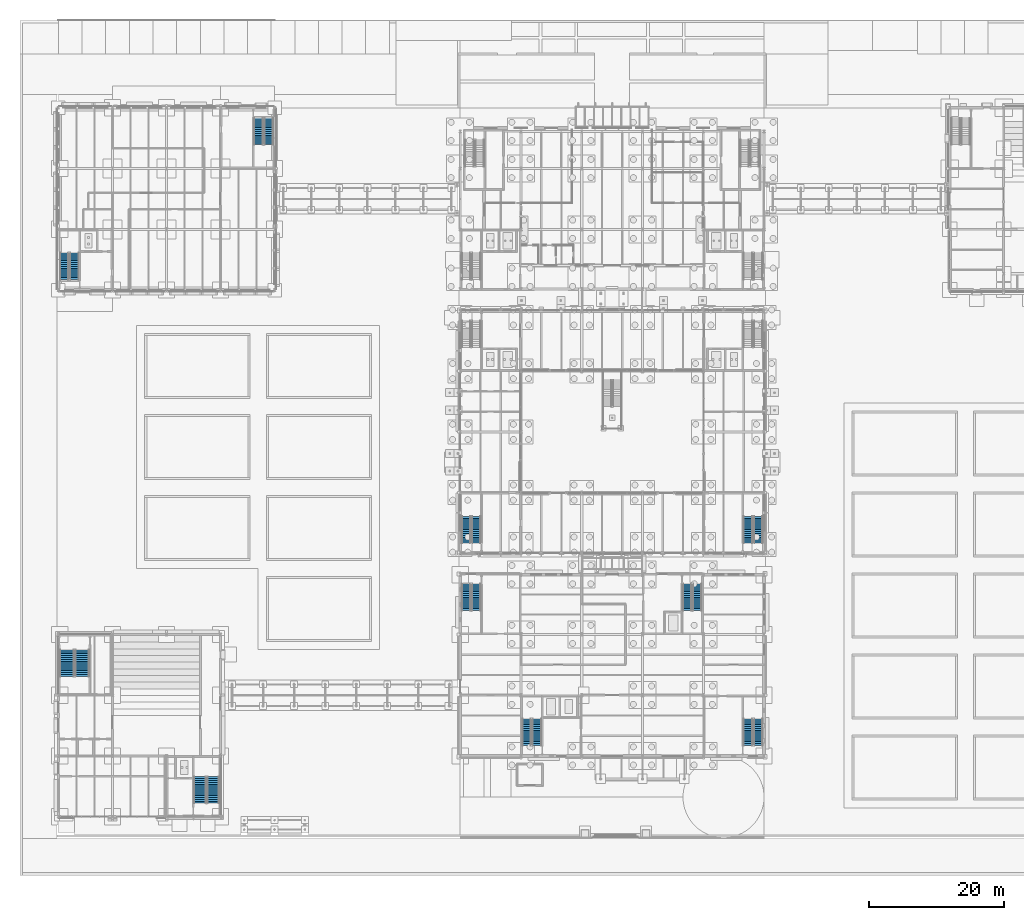
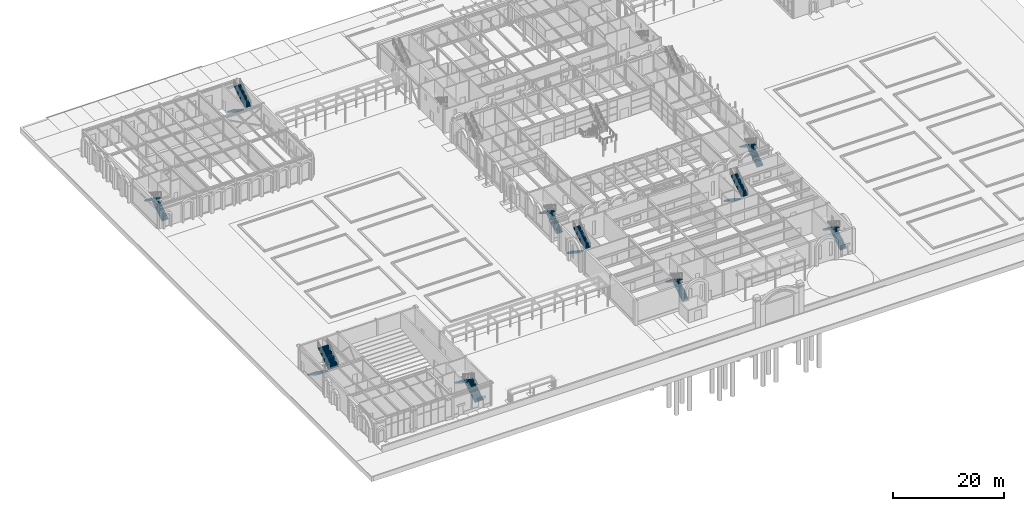
# One storey, part 85 of 126: 20 stair flights, 10 elements without a shape of their own.
"""IFC4 building model written with IfcOpenShell, lengths in metres."""

from ifc_helpers import new_model, si_unit, direction, frame, origin, place, context, subcontext, project, spatial, polyline, outline, extrude, material, type_object, element, aggregate, save


model = new_model("IFC4")

# Units and contexts
model_context = context("Model", 3, precision=1e-05, world=origin(), true_north=direction((0.0, 1.0)))
body_context = subcontext(model_context, "Body", "Model", "MODEL_VIEW")
ifc_project = project(units=[si_unit("LENGTHUNIT", "METRE"), si_unit("AREAUNIT", "SQUARE_METRE"), si_unit("VOLUMEUNIT", "CUBIC_METRE"), si_unit("PLANEANGLEUNIT", "RADIAN"), si_unit("MASSUNIT", "GRAM", prefix="KILO")], contexts=[model_context])

# Site, building, storey
site_placement = place(None, origin())
site = spatial("IfcSite", under=ifc_project, at=site_placement, CompositionType="ELEMENT")
building_placement = place(site_placement, origin())
building = spatial("IfcBuilding", under=site, at=building_placement, Name="Kallimachos Central Library", CompositionType="ELEMENT")
storey_placement = place(building_placement, origin())
storey = spatial("IfcBuildingStorey", under=building, at=storey_placement, Name="L00", CompositionType="ELEMENT", Elevation=0.0)

# Stair, stair flights
ifc_material_1 = material(Name="Concrete C30/37", Category="concrete")
stair_type_1 = type_object("IfcStairType", Name="Concrete stair 1350", PredefinedType="HALF_TURN_STAIR", material=ifc_material_1)
stair_1_placement = place(storey_placement, origin())
stair_1 = element("IfcStair", 1, at=stair_1_placement, inside=storey, type_object=stair_type_1, Name="L00 stair ST13", PredefinedType="HALF_TURN_STAIR")
ifc_material_2 = material(Name="Concrete C30/37", Category="concrete")
stair_flight_type_1 = type_object("IfcStairFlightType", Name="Concrete stair flight 1350", PredefinedType="STRAIGHT", material=ifc_material_2)
stair_flight_1_placement = place(storey_placement, frame((76.875, 19.550048828125, 0.0), z_axis=(0.0, 0.0, 1.0), x_axis=(0.0, 1.0, 0.0)))
stair_flight_1 = element("IfcStairFlight", 2, at=stair_flight_1_placement, type_object=stair_flight_type_1, Name="ST13 flight 1", NumberOfRisers=15, NumberOfTreads=14, PredefinedType="STRAIGHT", RiserHeight=0.18, TreadLength=0.28, context=body_context, shape_type="SweptSolid", body=[
    extrude(outline(polyline([(0.0, 0.0), (0.0, 0.179931640625), (0.280029296875, 0.179931640625), (0.280029296875, 0.360107421875), (0.56005859375, 0.360107421875), (0.56005859375, 0.5400390625), (0.840087890625, 0.5400390625), (0.840087890625, 0.719970703125), (1.1201171875, 0.719970703125), (1.1201171875, 0.89990234375), (1.39990234375, 0.89990234375), (1.39990234375, 1.080078125), (1.679931640625, 1.080078125), (1.679931640625, 1.260009765625), (1.9599609375, 1.260009765625), (1.9599609375, 1.43994140625), (2.239990234375, 1.43994140625), (2.239990234375, 1.6201171875), (2.52001953125, 1.6201171875), (2.52001953125, 1.800048828125), (2.800048828125, 1.800048828125), (2.800048828125, 1.97998046875), (3.080078125, 1.97998046875), (3.080078125, 2.159912109375), (3.360107421875, 2.159912109375), (3.360107421875, 2.340087890625), (3.639892578125, 2.340087890625), (3.639892578125, 2.52001953125), (3.919921875, 2.52001953125), (3.919921875, 2.699951171875), (3.919921875, 2.341796875), (0.277099609375, 0.0), (0.0, 0.0)])), frame((0.0, 0.675048828125, 0.0), z_axis=(0.0, -1.0, 0.0), x_axis=(1.0, 0.0, 0.0)), (0.0, 0.0, 1.0), 1.35009765625),
])
stair_flight_2_placement = place(storey_placement, frame((75.375, 23.469970703125, 2.699951171875), z_axis=(0.0, 0.0, 1.0), x_axis=(0.0, -1.0, 0.0)))
stair_flight_2 = element("IfcStairFlight", 3, at=stair_flight_2_placement, type_object=stair_flight_type_1, Name="ST13 flight 2", NumberOfRisers=15, NumberOfTreads=14, PredefinedType="STRAIGHT", RiserHeight=0.18, TreadLength=0.28, context=body_context, shape_type="SweptSolid", body=[
    extrude(outline(polyline([(0.0, 0.0), (0.0, 0.179931640625), (0.280029296875, 0.179931640625), (0.280029296875, 0.360107421875), (0.56005859375, 0.360107421875), (0.56005859375, 0.5400390625), (0.840087890625, 0.5400390625), (0.840087890625, 0.719970703125), (1.1201171875, 0.719970703125), (1.1201171875, 0.89990234375), (1.39990234375, 0.89990234375), (1.39990234375, 1.080078125), (1.679931640625, 1.080078125), (1.679931640625, 1.260009765625), (1.9599609375, 1.260009765625), (1.9599609375, 1.43994140625), (2.239990234375, 1.43994140625), (2.239990234375, 1.6201171875), (2.52001953125, 1.6201171875), (2.52001953125, 1.800048828125), (2.800048828125, 1.800048828125), (2.800048828125, 1.97998046875), (3.080078125, 1.97998046875), (3.080078125, 2.159912109375), (3.360107421875, 2.159912109375), (3.360107421875, 2.340087890625), (3.639892578125, 2.340087890625), (3.639892578125, 2.52001953125), (3.919921875, 2.52001953125), (3.919921875, 2.699951171875), (3.919921875, 2.341796875), (0.277099609375, 0.0), (0.0, 0.0)])), frame((0.0, 0.675048828125, 0.0), z_axis=(0.0, -1.0, 0.0), x_axis=(1.0, 0.0, 0.0)), (0.0, 0.0, 1.0), 1.35009765625),
])
aggregate(stair_1, [stair_flight_1, stair_flight_2])

stair_2_placement = place(storey_placement, origin())
stair_2 = element("IfcStair", 4, at=stair_2_placement, inside=storey, type_object=stair_type_1, Name="L00 stair ST14", PredefinedType="HALF_TURN_STAIR")
stair_flight_3_placement = place(storey_placement, frame((99.125, 43.449951171875, 0.0), z_axis=(0.0, 0.0, 1.0), x_axis=(0.0, -1.0, 0.0)))
stair_flight_3 = element("IfcStairFlight", 5, at=stair_flight_3_placement, type_object=stair_flight_type_1, Name="ST14 flight 1", NumberOfRisers=15, NumberOfTreads=14, PredefinedType="STRAIGHT", RiserHeight=0.18, TreadLength=0.28, context=body_context, shape_type="SweptSolid", body=[
    extrude(outline(polyline([(0.0, 0.0), (0.0, 0.179931640625), (0.280029296875, 0.179931640625), (0.280029296875, 0.360107421875), (0.56005859375, 0.360107421875), (0.56005859375, 0.5400390625), (0.840087890625, 0.5400390625), (0.840087890625, 0.719970703125), (1.1201171875, 0.719970703125), (1.1201171875, 0.89990234375), (1.39990234375, 0.89990234375), (1.39990234375, 1.080078125), (1.679931640625, 1.080078125), (1.679931640625, 1.260009765625), (1.9599609375, 1.260009765625), (1.9599609375, 1.43994140625), (2.239990234375, 1.43994140625), (2.239990234375, 1.6201171875), (2.52001953125, 1.6201171875), (2.52001953125, 1.800048828125), (2.800048828125, 1.800048828125), (2.800048828125, 1.97998046875), (3.080078125, 1.97998046875), (3.080078125, 2.159912109375), (3.360107421875, 2.159912109375), (3.360107421875, 2.340087890625), (3.639892578125, 2.340087890625), (3.639892578125, 2.52001953125), (3.919921875, 2.52001953125), (3.919921875, 2.699951171875), (3.919921875, 2.341796875), (0.277099609375, 0.0), (0.0, 0.0)])), frame((0.0, 0.675048828125, 0.0), z_axis=(0.0, -1.0, 0.0), x_axis=(1.0, 0.0, 0.0)), (0.0, 0.0, 1.0), 1.35009765625),
])
stair_flight_4_placement = place(storey_placement, frame((100.625, 39.530029296875, 2.699951171875), z_axis=(0.0, 0.0, 1.0), x_axis=(0.0, 1.0, 0.0)))
stair_flight_4 = element("IfcStairFlight", 6, at=stair_flight_4_placement, type_object=stair_flight_type_1, Name="ST14 flight 2", NumberOfRisers=15, NumberOfTreads=14, PredefinedType="STRAIGHT", RiserHeight=0.18, TreadLength=0.28, context=body_context, shape_type="SweptSolid", body=[
    extrude(outline(polyline([(0.0, 0.0), (0.0, 0.179931640625), (0.280029296875, 0.179931640625), (0.280029296875, 0.360107421875), (0.56005859375, 0.360107421875), (0.56005859375, 0.5400390625), (0.840087890625, 0.5400390625), (0.840087890625, 0.719970703125), (1.1201171875, 0.719970703125), (1.1201171875, 0.89990234375), (1.39990234375, 0.89990234375), (1.39990234375, 1.080078125), (1.679931640625, 1.080078125), (1.679931640625, 1.260009765625), (1.9599609375, 1.260009765625), (1.9599609375, 1.43994140625), (2.239990234375, 1.43994140625), (2.239990234375, 1.6201171875), (2.52001953125, 1.6201171875), (2.52001953125, 1.800048828125), (2.800048828125, 1.800048828125), (2.800048828125, 1.97998046875), (3.080078125, 1.97998046875), (3.080078125, 2.159912109375), (3.360107421875, 2.159912109375), (3.360107421875, 2.340087890625), (3.639892578125, 2.340087890625), (3.639892578125, 2.52001953125), (3.919921875, 2.52001953125), (3.919921875, 2.699951171875), (3.919921875, 2.341796875), (0.277099609375, 0.0), (0.0, 0.0)])), frame((0.0, 0.675048828125, 0.0), z_axis=(0.0, -1.0, 0.0), x_axis=(1.0, 0.0, 0.0)), (0.0, 0.0, 1.0), 1.35009765625),
])
aggregate(stair_2, [stair_flight_3, stair_flight_4])

stair_3_placement = place(storey_placement, origin())
stair_3 = element("IfcStair", 7, at=stair_3_placement, inside=storey, type_object=stair_type_1, Name="L00 stair ST15", PredefinedType="HALF_TURN_STAIR")
stair_flight_5_placement = place(storey_placement, frame((66.375, 43.449951171875, 0.0), z_axis=(0.0, 0.0, 1.0), x_axis=(0.0, -1.0, 0.0)))
stair_flight_5 = element("IfcStairFlight", 8, at=stair_flight_5_placement, type_object=stair_flight_type_1, Name="ST15 flight 1", NumberOfRisers=15, NumberOfTreads=14, PredefinedType="STRAIGHT", RiserHeight=0.18, TreadLength=0.28, context=body_context, shape_type="SweptSolid", body=[
    extrude(outline(polyline([(0.0, 0.0), (0.0, 0.179931640625), (0.280029296875, 0.179931640625), (0.280029296875, 0.360107421875), (0.56005859375, 0.360107421875), (0.56005859375, 0.5400390625), (0.840087890625, 0.5400390625), (0.840087890625, 0.719970703125), (1.1201171875, 0.719970703125), (1.1201171875, 0.89990234375), (1.39990234375, 0.89990234375), (1.39990234375, 1.080078125), (1.679931640625, 1.080078125), (1.679931640625, 1.260009765625), (1.9599609375, 1.260009765625), (1.9599609375, 1.43994140625), (2.239990234375, 1.43994140625), (2.239990234375, 1.6201171875), (2.52001953125, 1.6201171875), (2.52001953125, 1.800048828125), (2.800048828125, 1.800048828125), (2.800048828125, 1.97998046875), (3.080078125, 1.97998046875), (3.080078125, 2.159912109375), (3.360107421875, 2.159912109375), (3.360107421875, 2.340087890625), (3.639892578125, 2.340087890625), (3.639892578125, 2.52001953125), (3.919921875, 2.52001953125), (3.919921875, 2.699951171875), (3.919921875, 2.341796875), (0.277099609375, 0.0), (0.0, 0.0)])), frame((0.0, 0.675048828125, 0.0), z_axis=(0.0, -1.0, 0.0), x_axis=(1.0, 0.0, 0.0)), (0.0, 0.0, 1.0), 1.35009765625),
])
stair_flight_6_placement = place(storey_placement, frame((67.875, 39.530029296875, 2.699951171875), z_axis=(0.0, 0.0, 1.0), x_axis=(0.0, 1.0, 0.0)))
stair_flight_6 = element("IfcStairFlight", 9, at=stair_flight_6_placement, type_object=stair_flight_type_1, Name="ST15 flight 2", NumberOfRisers=15, NumberOfTreads=14, PredefinedType="STRAIGHT", RiserHeight=0.18, TreadLength=0.28, context=body_context, shape_type="SweptSolid", body=[
    extrude(outline(polyline([(0.0, 0.0), (0.0, 0.179931640625), (0.280029296875, 0.179931640625), (0.280029296875, 0.360107421875), (0.56005859375, 0.360107421875), (0.56005859375, 0.5400390625), (0.840087890625, 0.5400390625), (0.840087890625, 0.719970703125), (1.1201171875, 0.719970703125), (1.1201171875, 0.89990234375), (1.39990234375, 0.89990234375), (1.39990234375, 1.080078125), (1.679931640625, 1.080078125), (1.679931640625, 1.260009765625), (1.9599609375, 1.260009765625), (1.9599609375, 1.43994140625), (2.239990234375, 1.43994140625), (2.239990234375, 1.6201171875), (2.52001953125, 1.6201171875), (2.52001953125, 1.800048828125), (2.800048828125, 1.800048828125), (2.800048828125, 1.97998046875), (3.080078125, 1.97998046875), (3.080078125, 2.159912109375), (3.360107421875, 2.159912109375), (3.360107421875, 2.340087890625), (3.639892578125, 2.340087890625), (3.639892578125, 2.52001953125), (3.919921875, 2.52001953125), (3.919921875, 2.699951171875), (3.919921875, 2.341796875), (0.277099609375, 0.0), (0.0, 0.0)])), frame((0.0, 0.675048828125, 0.0), z_axis=(0.0, -1.0, 0.0), x_axis=(1.0, 0.0, 0.0)), (0.0, 0.0, 1.0), 1.35009765625),
])
aggregate(stair_3, [stair_flight_5, stair_flight_6])

stair_4_placement = place(storey_placement, origin())
stair_4 = element("IfcStair", 10, at=stair_4_placement, inside=storey, type_object=stair_type_1, Name="L00 stair ST16", PredefinedType="HALF_TURN_STAIR")
stair_flight_7_placement = place(storey_placement, frame((109.625, 19.550048828125, 0.0), z_axis=(0.0, 0.0, 1.0), x_axis=(0.0, 1.0, 0.0)))
stair_flight_7 = element("IfcStairFlight", 11, at=stair_flight_7_placement, type_object=stair_flight_type_1, Name="ST16 flight 1", NumberOfRisers=15, NumberOfTreads=14, PredefinedType="STRAIGHT", RiserHeight=0.18, TreadLength=0.28, context=body_context, shape_type="SweptSolid", body=[
    extrude(outline(polyline([(0.0, 0.0), (0.0, 0.179931640625), (0.280029296875, 0.179931640625), (0.280029296875, 0.360107421875), (0.56005859375, 0.360107421875), (0.56005859375, 0.5400390625), (0.840087890625, 0.5400390625), (0.840087890625, 0.719970703125), (1.1201171875, 0.719970703125), (1.1201171875, 0.89990234375), (1.39990234375, 0.89990234375), (1.39990234375, 1.080078125), (1.679931640625, 1.080078125), (1.679931640625, 1.260009765625), (1.9599609375, 1.260009765625), (1.9599609375, 1.43994140625), (2.239990234375, 1.43994140625), (2.239990234375, 1.6201171875), (2.52001953125, 1.6201171875), (2.52001953125, 1.800048828125), (2.800048828125, 1.800048828125), (2.800048828125, 1.97998046875), (3.080078125, 1.97998046875), (3.080078125, 2.159912109375), (3.360107421875, 2.159912109375), (3.360107421875, 2.340087890625), (3.639892578125, 2.340087890625), (3.639892578125, 2.52001953125), (3.919921875, 2.52001953125), (3.919921875, 2.699951171875), (3.919921875, 2.341796875), (0.277099609375, 0.0), (0.0, 0.0)])), frame((0.0, 0.675048828125, 0.0), z_axis=(0.0, -1.0, 0.0), x_axis=(1.0, 0.0, 0.0)), (0.0, 0.0, 1.0), 1.35009765625),
])
stair_flight_8_placement = place(storey_placement, frame((108.125, 23.469970703125, 2.699951171875), z_axis=(0.0, 0.0, 1.0), x_axis=(0.0, -1.0, 0.0)))
stair_flight_8 = element("IfcStairFlight", 12, at=stair_flight_8_placement, type_object=stair_flight_type_1, Name="ST16 flight 2", NumberOfRisers=15, NumberOfTreads=14, PredefinedType="STRAIGHT", RiserHeight=0.18, TreadLength=0.28, context=body_context, shape_type="SweptSolid", body=[
    extrude(outline(polyline([(0.0, 0.0), (0.0, 0.179931640625), (0.280029296875, 0.179931640625), (0.280029296875, 0.360107421875), (0.56005859375, 0.360107421875), (0.56005859375, 0.5400390625), (0.840087890625, 0.5400390625), (0.840087890625, 0.719970703125), (1.1201171875, 0.719970703125), (1.1201171875, 0.89990234375), (1.39990234375, 0.89990234375), (1.39990234375, 1.080078125), (1.679931640625, 1.080078125), (1.679931640625, 1.260009765625), (1.9599609375, 1.260009765625), (1.9599609375, 1.43994140625), (2.239990234375, 1.43994140625), (2.239990234375, 1.6201171875), (2.52001953125, 1.6201171875), (2.52001953125, 1.800048828125), (2.800048828125, 1.800048828125), (2.800048828125, 1.97998046875), (3.080078125, 1.97998046875), (3.080078125, 2.159912109375), (3.360107421875, 2.159912109375), (3.360107421875, 2.340087890625), (3.639892578125, 2.340087890625), (3.639892578125, 2.52001953125), (3.919921875, 2.52001953125), (3.919921875, 2.699951171875), (3.919921875, 2.341796875), (0.277099609375, 0.0), (0.0, 0.0)])), frame((0.0, 0.675048828125, 0.0), z_axis=(0.0, -1.0, 0.0), x_axis=(1.0, 0.0, 0.0)), (0.0, 0.0, 1.0), 1.35009765625),
])
aggregate(stair_4, [stair_flight_7, stair_flight_8])

ifc_material_3 = material(Name="Concrete C30/37", Category="concrete")
stair_type_2 = type_object("IfcStairType", Name="Escape stair", PredefinedType="HALF_TURN_STAIR", material=ifc_material_3)
stair_5_placement = place(storey_placement, origin())
stair_5 = element("IfcStair", 13, at=stair_5_placement, inside=storey, type_object=stair_type_2, Name="L00 stair ST11", PredefinedType="HALF_TURN_STAIR")
ifc_material_4 = material(Name="Concrete C30/37", Category="concrete")
stair_flight_type_2 = type_object("IfcStairFlightType", Name="Stair flight", PredefinedType="STRAIGHT", material=ifc_material_4)
stair_flight_9_placement = place(storey_placement, frame((67.875, 49.550048828125, 0.0), z_axis=(0.0, 0.0, 1.0), x_axis=(0.0, 1.0, 0.0)))
stair_flight_9 = element("IfcStairFlight", 14, at=stair_flight_9_placement, type_object=stair_flight_type_2, Name="ST11 flight 1", NumberOfRisers=15, NumberOfTreads=14, PredefinedType="STRAIGHT", RiserHeight=0.18, TreadLength=0.28, context=body_context, shape_type="SweptSolid", body=[
    extrude(outline(polyline([(0.0, 0.0), (0.0, 0.179931640625), (0.280029296875, 0.179931640625), (0.280029296875, 0.360107421875), (0.56005859375, 0.360107421875), (0.56005859375, 0.5400390625), (0.840087890625, 0.5400390625), (0.840087890625, 0.719970703125), (1.1201171875, 0.719970703125), (1.1201171875, 0.89990234375), (1.39990234375, 0.89990234375), (1.39990234375, 1.080078125), (1.679931640625, 1.080078125), (1.679931640625, 1.260009765625), (1.9599609375, 1.260009765625), (1.9599609375, 1.43994140625), (2.239990234375, 1.43994140625), (2.239990234375, 1.6201171875), (2.52001953125, 1.6201171875), (2.52001953125, 1.800048828125), (2.800048828125, 1.800048828125), (2.800048828125, 1.97998046875), (3.080078125, 1.97998046875), (3.080078125, 2.159912109375), (3.360107421875, 2.159912109375), (3.360107421875, 2.340087890625), (3.639892578125, 2.340087890625), (3.639892578125, 2.52001953125), (3.919921875, 2.52001953125), (3.919921875, 2.699951171875), (3.919921875, 2.341796875), (0.277099609375, 0.0), (0.0, 0.0)])), frame((0.0, 0.675048828125, 0.0), z_axis=(0.0, -1.0, 0.0), x_axis=(1.0, 0.0, 0.0)), (0.0, 0.0, 1.0), 1.35009765625),
])
stair_flight_10_placement = place(storey_placement, frame((66.375, 53.469970703125, 2.699951171875), z_axis=(0.0, 0.0, 1.0), x_axis=(0.0, -1.0, 0.0)))
stair_flight_10 = element("IfcStairFlight", 15, at=stair_flight_10_placement, type_object=stair_flight_type_2, Name="ST11 flight 2", NumberOfRisers=15, NumberOfTreads=14, PredefinedType="STRAIGHT", RiserHeight=0.18, TreadLength=0.28, context=body_context, shape_type="SweptSolid", body=[
    extrude(outline(polyline([(0.0, 0.0), (0.0, 0.179931640625), (0.280029296875, 0.179931640625), (0.280029296875, 0.360107421875), (0.56005859375, 0.360107421875), (0.56005859375, 0.5400390625), (0.840087890625, 0.5400390625), (0.840087890625, 0.719970703125), (1.1201171875, 0.719970703125), (1.1201171875, 0.89990234375), (1.39990234375, 0.89990234375), (1.39990234375, 1.080078125), (1.679931640625, 1.080078125), (1.679931640625, 1.260009765625), (1.9599609375, 1.260009765625), (1.9599609375, 1.43994140625), (2.239990234375, 1.43994140625), (2.239990234375, 1.6201171875), (2.52001953125, 1.6201171875), (2.52001953125, 1.800048828125), (2.800048828125, 1.800048828125), (2.800048828125, 1.97998046875), (3.080078125, 1.97998046875), (3.080078125, 2.159912109375), (3.360107421875, 2.159912109375), (3.360107421875, 2.340087890625), (3.639892578125, 2.340087890625), (3.639892578125, 2.52001953125), (3.919921875, 2.52001953125), (3.919921875, 2.699951171875), (3.919921875, 2.341796875), (0.277099609375, 0.0), (0.0, 0.0)])), frame((0.0, 0.675048828125, 0.0), z_axis=(0.0, -1.0, 0.0), x_axis=(1.0, 0.0, 0.0)), (0.0, 0.0, 1.0), 1.35009765625),
])
aggregate(stair_5, [stair_flight_9, stair_flight_10])

stair_6_placement = place(storey_placement, origin())
stair_6 = element("IfcStair", 16, at=stair_6_placement, inside=storey, type_object=stair_type_2, Name="L00 stair ST12", PredefinedType="HALF_TURN_STAIR")
stair_flight_11_placement = place(storey_placement, frame((109.625, 49.550048828125, 0.0), z_axis=(0.0, 0.0, 1.0), x_axis=(0.0, 1.0, 0.0)))
stair_flight_11 = element("IfcStairFlight", 17, at=stair_flight_11_placement, type_object=stair_flight_type_2, Name="ST12 flight 1", NumberOfRisers=15, NumberOfTreads=14, PredefinedType="STRAIGHT", RiserHeight=0.18, TreadLength=0.28, context=body_context, shape_type="SweptSolid", body=[
    extrude(outline(polyline([(0.0, 0.0), (0.0, 0.179931640625), (0.280029296875, 0.179931640625), (0.280029296875, 0.360107421875), (0.56005859375, 0.360107421875), (0.56005859375, 0.5400390625), (0.840087890625, 0.5400390625), (0.840087890625, 0.719970703125), (1.1201171875, 0.719970703125), (1.1201171875, 0.89990234375), (1.39990234375, 0.89990234375), (1.39990234375, 1.080078125), (1.679931640625, 1.080078125), (1.679931640625, 1.260009765625), (1.9599609375, 1.260009765625), (1.9599609375, 1.43994140625), (2.239990234375, 1.43994140625), (2.239990234375, 1.6201171875), (2.52001953125, 1.6201171875), (2.52001953125, 1.800048828125), (2.800048828125, 1.800048828125), (2.800048828125, 1.97998046875), (3.080078125, 1.97998046875), (3.080078125, 2.159912109375), (3.360107421875, 2.159912109375), (3.360107421875, 2.340087890625), (3.639892578125, 2.340087890625), (3.639892578125, 2.52001953125), (3.919921875, 2.52001953125), (3.919921875, 2.699951171875), (3.919921875, 2.341796875), (0.277099609375, 0.0), (0.0, 0.0)])), frame((0.0, 0.675048828125, 0.0), z_axis=(0.0, -1.0, 0.0), x_axis=(1.0, 0.0, 0.0)), (0.0, 0.0, 1.0), 1.35009765625),
])
stair_flight_12_placement = place(storey_placement, frame((108.125, 53.469970703125, 2.699951171875), z_axis=(0.0, 0.0, 1.0), x_axis=(0.0, -1.0, 0.0)))
stair_flight_12 = element("IfcStairFlight", 18, at=stair_flight_12_placement, type_object=stair_flight_type_2, Name="ST12 flight 2", NumberOfRisers=15, NumberOfTreads=14, PredefinedType="STRAIGHT", RiserHeight=0.18, TreadLength=0.28, context=body_context, shape_type="SweptSolid", body=[
    extrude(outline(polyline([(0.0, 0.0), (0.0, 0.179931640625), (0.280029296875, 0.179931640625), (0.280029296875, 0.360107421875), (0.56005859375, 0.360107421875), (0.56005859375, 0.5400390625), (0.840087890625, 0.5400390625), (0.840087890625, 0.719970703125), (1.1201171875, 0.719970703125), (1.1201171875, 0.89990234375), (1.39990234375, 0.89990234375), (1.39990234375, 1.080078125), (1.679931640625, 1.080078125), (1.679931640625, 1.260009765625), (1.9599609375, 1.260009765625), (1.9599609375, 1.43994140625), (2.239990234375, 1.43994140625), (2.239990234375, 1.6201171875), (2.52001953125, 1.6201171875), (2.52001953125, 1.800048828125), (2.800048828125, 1.800048828125), (2.800048828125, 1.97998046875), (3.080078125, 1.97998046875), (3.080078125, 2.159912109375), (3.360107421875, 2.159912109375), (3.360107421875, 2.340087890625), (3.639892578125, 2.340087890625), (3.639892578125, 2.52001953125), (3.919921875, 2.52001953125), (3.919921875, 2.699951171875), (3.919921875, 2.341796875), (0.277099609375, 0.0), (0.0, 0.0)])), frame((0.0, 0.675048828125, 0.0), z_axis=(0.0, -1.0, 0.0), x_axis=(1.0, 0.0, 0.0)), (0.0, 0.0, 1.0), 1.35009765625),
])
aggregate(stair_6, [stair_flight_11, stair_flight_12])

stair_7_placement = place(storey_placement, origin())
stair_7 = element("IfcStair", 19, at=stair_7_placement, inside=storey, type_object=stair_type_2, Name="L00 stair ST17", PredefinedType="HALF_TURN_STAIR")
stair_flight_13_placement = place(storey_placement, frame((28.89990234375, 11.0, 0.0), z_axis=(0.0, 0.0, 1.0), x_axis=(0.0, 1.0, 0.0)))
stair_flight_13 = element("IfcStairFlight", 20, at=stair_flight_13_placement, type_object=stair_flight_type_2, Name="ST17 flight 1", NumberOfRisers=15, NumberOfTreads=14, PredefinedType="STRAIGHT", RiserHeight=0.18, TreadLength=0.28, context=body_context, shape_type="SweptSolid", body=[
    extrude(outline(polyline([(0.0, 0.0), (0.0, 0.179931640625), (0.280029296875, 0.179931640625), (0.280029296875, 0.360107421875), (0.56005859375, 0.360107421875), (0.56005859375, 0.5400390625), (0.840087890625, 0.5400390625), (0.840087890625, 0.719970703125), (1.1201171875, 0.719970703125), (1.1201171875, 0.89990234375), (1.39990234375, 0.89990234375), (1.39990234375, 1.080078125), (1.679931640625, 1.080078125), (1.679931640625, 1.260009765625), (1.9599609375, 1.260009765625), (1.9599609375, 1.43994140625), (2.239990234375, 1.43994140625), (2.239990234375, 1.6201171875), (2.52001953125, 1.6201171875), (2.52001953125, 1.800048828125), (2.800048828125, 1.800048828125), (2.800048828125, 1.97998046875), (3.080078125, 1.97998046875), (3.080078125, 2.159912109375), (3.360107421875, 2.159912109375), (3.360107421875, 2.340087890625), (3.639892578125, 2.340087890625), (3.639892578125, 2.52001953125), (3.919921875, 2.52001953125), (3.919921875, 2.699951171875), (3.919921875, 2.341796875), (0.277099609375, 0.0), (0.0, 0.0)])), frame((0.0, 0.89990234375, 0.0), z_axis=(0.0, -1.0, 0.0), x_axis=(1.0, 0.0, 0.0)), (0.0, 0.0, 1.0), 1.800048828125),
])
stair_flight_14_placement = place(storey_placement, frame((26.949951171875, 14.919921875, 2.699951171875), z_axis=(0.0, 0.0, 1.0), x_axis=(0.0, -1.0, 0.0)))
stair_flight_14 = element("IfcStairFlight", 21, at=stair_flight_14_placement, type_object=stair_flight_type_2, Name="ST17 flight 2", NumberOfRisers=15, NumberOfTreads=14, PredefinedType="STRAIGHT", RiserHeight=0.18, TreadLength=0.28, context=body_context, shape_type="SweptSolid", body=[
    extrude(outline(polyline([(0.0, 0.0), (0.0, 0.179931640625), (0.280029296875, 0.179931640625), (0.280029296875, 0.360107421875), (0.56005859375, 0.360107421875), (0.56005859375, 0.5400390625), (0.840087890625, 0.5400390625), (0.840087890625, 0.719970703125), (1.1201171875, 0.719970703125), (1.1201171875, 0.89990234375), (1.39990234375, 0.89990234375), (1.39990234375, 1.080078125), (1.679931640625, 1.080078125), (1.679931640625, 1.260009765625), (1.9599609375, 1.260009765625), (1.9599609375, 1.43994140625), (2.239990234375, 1.43994140625), (2.239990234375, 1.6201171875), (2.52001953125, 1.6201171875), (2.52001953125, 1.800048828125), (2.800048828125, 1.800048828125), (2.800048828125, 1.97998046875), (3.080078125, 1.97998046875), (3.080078125, 2.159912109375), (3.360107421875, 2.159912109375), (3.360107421875, 2.340087890625), (3.639892578125, 2.340087890625), (3.639892578125, 2.52001953125), (3.919921875, 2.52001953125), (3.919921875, 2.699951171875), (3.919921875, 2.341796875), (0.277099609375, 0.0), (0.0, 0.0)])), frame((0.0, 0.89990234375, 0.0), z_axis=(0.0, -1.0, 0.0), x_axis=(1.0, 0.0, 0.0)), (0.0, 0.0, 1.0), 1.800048828125),
])
aggregate(stair_7, [stair_flight_13, stair_flight_14])

stair_8_placement = place(storey_placement, origin())
stair_8 = element("IfcStair", 22, at=stair_8_placement, inside=storey, type_object=stair_type_2, Name="L00 stair ST18", PredefinedType="HALF_TURN_STAIR")
stair_flight_15_placement = place(storey_placement, frame((7.25, 33.699951171875, 0.0), z_axis=(0.0, 0.0, 1.0), x_axis=(0.0, -1.0, 0.0)))
stair_flight_15 = element("IfcStairFlight", 23, at=stair_flight_15_placement, type_object=stair_flight_type_2, Name="ST18 flight 1", NumberOfRisers=15, NumberOfTreads=14, PredefinedType="STRAIGHT", RiserHeight=0.18, TreadLength=0.28, context=body_context, shape_type="SweptSolid", body=[
    extrude(outline(polyline([(0.0, 0.0), (0.0, 0.179931640625), (0.280029296875, 0.179931640625), (0.280029296875, 0.360107421875), (0.56005859375, 0.360107421875), (0.56005859375, 0.5400390625), (0.840087890625, 0.5400390625), (0.840087890625, 0.719970703125), (1.1201171875, 0.719970703125), (1.1201171875, 0.89990234375), (1.39990234375, 0.89990234375), (1.39990234375, 1.080078125), (1.679931640625, 1.080078125), (1.679931640625, 1.260009765625), (1.9599609375, 1.260009765625), (1.9599609375, 1.43994140625), (2.239990234375, 1.43994140625), (2.239990234375, 1.6201171875), (2.52001953125, 1.6201171875), (2.52001953125, 1.800048828125), (2.800048828125, 1.800048828125), (2.800048828125, 1.97998046875), (3.080078125, 1.97998046875), (3.080078125, 2.159912109375), (3.360107421875, 2.159912109375), (3.360107421875, 2.340087890625), (3.639892578125, 2.340087890625), (3.639892578125, 2.52001953125), (3.919921875, 2.52001953125), (3.919921875, 2.699951171875), (3.919921875, 2.341796875), (0.277099609375, 0.0), (0.0, 0.0)])), frame((0.0, 1.050048828125, 0.0), z_axis=(0.0, -1.0, 0.0), x_axis=(1.0, 0.0, 0.0)), (0.0, 0.0, 1.0), 2.10009765625),
])
stair_flight_16_placement = place(storey_placement, frame((9.5, 29.780029296875, 2.699951171875), z_axis=(0.0, 0.0, 1.0), x_axis=(0.0, 1.0, 0.0)))
stair_flight_16 = element("IfcStairFlight", 24, at=stair_flight_16_placement, type_object=stair_flight_type_2, Name="ST18 flight 2", NumberOfRisers=15, NumberOfTreads=14, PredefinedType="STRAIGHT", RiserHeight=0.18, TreadLength=0.28, context=body_context, shape_type="SweptSolid", body=[
    extrude(outline(polyline([(0.0, 0.0), (0.0, 0.179931640625), (0.280029296875, 0.179931640625), (0.280029296875, 0.360107421875), (0.56005859375, 0.360107421875), (0.56005859375, 0.5400390625), (0.840087890625, 0.5400390625), (0.840087890625, 0.719970703125), (1.1201171875, 0.719970703125), (1.1201171875, 0.89990234375), (1.39990234375, 0.89990234375), (1.39990234375, 1.080078125), (1.679931640625, 1.080078125), (1.679931640625, 1.260009765625), (1.9599609375, 1.260009765625), (1.9599609375, 1.43994140625), (2.239990234375, 1.43994140625), (2.239990234375, 1.6201171875), (2.52001953125, 1.6201171875), (2.52001953125, 1.800048828125), (2.800048828125, 1.800048828125), (2.800048828125, 1.97998046875), (3.080078125, 1.97998046875), (3.080078125, 2.159912109375), (3.360107421875, 2.159912109375), (3.360107421875, 2.340087890625), (3.639892578125, 2.340087890625), (3.639892578125, 2.52001953125), (3.919921875, 2.52001953125), (3.919921875, 2.699951171875), (3.919921875, 2.341796875), (0.277099609375, 0.0), (0.0, 0.0)])), frame((0.0, 1.050048828125, 0.0), z_axis=(0.0, -1.0, 0.0), x_axis=(1.0, 0.0, 0.0)), (0.0, 0.0, 1.0), 2.10009765625),
])
aggregate(stair_8, [stair_flight_15, stair_flight_16])

ifc_material_5 = material(Name="Steel S355J2", Category="steel")
stair_type_3 = type_object("IfcStairType", Name="Escape stair half-turn", PredefinedType="HALF_TURN_STAIR", material=ifc_material_5)
stair_9_placement = place(storey_placement, origin())
stair_9 = element("IfcStair", 25, at=stair_9_placement, inside=storey, type_object=stair_type_3, Name="L00 stair ST5", PredefinedType="HALF_TURN_STAIR")
ifc_material_6 = material(Name="Steel S355J2", Category="steel")
stair_flight_type_3 = type_object("IfcStairFlightType", Name="Stair flight 1350", PredefinedType="STRAIGHT", material=ifc_material_6)
stair_flight_17_placement = place(storey_placement, frame((8.375, 88.550048828125, 0.0), z_axis=(0.0, 0.0, 1.0), x_axis=(0.0, 1.0, 0.0)))
stair_flight_17 = element("IfcStairFlight", 26, at=stair_flight_17_placement, type_object=stair_flight_type_3, Name="ST5 flight 1", NumberOfRisers=15, NumberOfTreads=14, PredefinedType="STRAIGHT", RiserHeight=0.18, TreadLength=0.28, context=body_context, shape_type="SweptSolid", body=[
    extrude(outline(polyline([(0.0, 0.0), (0.0, 0.179931640625), (0.280029296875, 0.179931640625), (0.280029296875, 0.360107421875), (0.56005859375, 0.360107421875), (0.56005859375, 0.5400390625), (0.840087890625, 0.5400390625), (0.840087890625, 0.719970703125), (1.1201171875, 0.719970703125), (1.1201171875, 0.89990234375), (1.39990234375, 0.89990234375), (1.39990234375, 1.080078125), (1.679931640625, 1.080078125), (1.679931640625, 1.260009765625), (1.9599609375, 1.260009765625), (1.9599609375, 1.43994140625), (2.239990234375, 1.43994140625), (2.239990234375, 1.6201171875), (2.52001953125, 1.6201171875), (2.52001953125, 1.800048828125), (2.800048828125, 1.800048828125), (2.800048828125, 1.97998046875), (3.080078125, 1.97998046875), (3.080078125, 2.159912109375), (3.360107421875, 2.159912109375), (3.360107421875, 2.340087890625), (3.639892578125, 2.340087890625), (3.639892578125, 2.52001953125), (3.919921875, 2.52001953125), (3.919921875, 2.699951171875), (3.919921875, 2.341796875), (0.277099609375, 0.0), (0.0, 0.0)])), frame((0.0, 0.675048828125, 0.0), z_axis=(0.0, -1.0, 0.0), x_axis=(1.0, 0.0, 0.0)), (0.0, 0.0, 1.0), 1.35009765625),
])
stair_flight_18_placement = place(storey_placement, frame((6.875, 92.469970703125, 2.699951171875), z_axis=(0.0, 0.0, 1.0), x_axis=(0.0, -1.0, 0.0)))
stair_flight_18 = element("IfcStairFlight", 27, at=stair_flight_18_placement, type_object=stair_flight_type_3, Name="ST5 flight 2", NumberOfRisers=15, NumberOfTreads=14, PredefinedType="STRAIGHT", RiserHeight=0.18, TreadLength=0.28, context=body_context, shape_type="SweptSolid", body=[
    extrude(outline(polyline([(0.0, 0.0), (0.0, 0.179931640625), (0.280029296875, 0.179931640625), (0.280029296875, 0.360107421875), (0.56005859375, 0.360107421875), (0.56005859375, 0.5400390625), (0.840087890625, 0.5400390625), (0.840087890625, 0.719970703125), (1.1201171875, 0.719970703125), (1.1201171875, 0.89990234375), (1.39990234375, 0.89990234375), (1.39990234375, 1.080078125), (1.679931640625, 1.080078125), (1.679931640625, 1.260009765625), (1.9599609375, 1.260009765625), (1.9599609375, 1.43994140625), (2.239990234375, 1.43994140625), (2.239990234375, 1.6201171875), (2.52001953125, 1.6201171875), (2.52001953125, 1.800048828125), (2.800048828125, 1.800048828125), (2.800048828125, 1.97998046875), (3.080078125, 1.97998046875), (3.080078125, 2.159912109375), (3.360107421875, 2.159912109375), (3.360107421875, 2.340087890625), (3.639892578125, 2.340087890625), (3.639892578125, 2.52001953125), (3.919921875, 2.52001953125), (3.919921875, 2.699951171875), (3.919921875, 2.341796875), (0.277099609375, 0.0), (0.0, 0.0)])), frame((0.0, 0.675048828125, 0.0), z_axis=(0.0, -1.0, 0.0), x_axis=(1.0, 0.0, 0.0)), (0.0, 0.0, 1.0), 1.35009765625),
])
aggregate(stair_9, [stair_flight_17, stair_flight_18])

stair_10_placement = place(storey_placement, origin())
stair_10 = element("IfcStair", 28, at=stair_10_placement, inside=storey, type_object=stair_type_3, Name="L00 stair ST6", PredefinedType="HALF_TURN_STAIR")
stair_flight_19_placement = place(storey_placement, frame((35.625, 112.449951171875, 0.0), z_axis=(0.0, 0.0, 1.0), x_axis=(0.0, -1.0, 0.0)))
stair_flight_19 = element("IfcStairFlight", 29, at=stair_flight_19_placement, type_object=stair_flight_type_3, Name="ST6 flight 1", NumberOfRisers=15, NumberOfTreads=14, PredefinedType="STRAIGHT", RiserHeight=0.18, TreadLength=0.28, context=body_context, shape_type="SweptSolid", body=[
    extrude(outline(polyline([(0.0, 0.0), (0.0, 0.179931640625), (0.280029296875, 0.179931640625), (0.280029296875, 0.360107421875), (0.56005859375, 0.360107421875), (0.56005859375, 0.5400390625), (0.840087890625, 0.5400390625), (0.840087890625, 0.719970703125), (1.1201171875, 0.719970703125), (1.1201171875, 0.89990234375), (1.39990234375, 0.89990234375), (1.39990234375, 1.080078125), (1.679931640625, 1.080078125), (1.679931640625, 1.260009765625), (1.9599609375, 1.260009765625), (1.9599609375, 1.43994140625), (2.239990234375, 1.43994140625), (2.239990234375, 1.6201171875), (2.52001953125, 1.6201171875), (2.52001953125, 1.800048828125), (2.800048828125, 1.800048828125), (2.800048828125, 1.97998046875), (3.080078125, 1.97998046875), (3.080078125, 2.159912109375), (3.360107421875, 2.159912109375), (3.360107421875, 2.340087890625), (3.639892578125, 2.340087890625), (3.639892578125, 2.52001953125), (3.919921875, 2.52001953125), (3.919921875, 2.699951171875), (3.919921875, 2.341796875), (0.277099609375, 0.0), (0.0, 0.0)])), frame((0.0, 0.675048828125, 0.0), z_axis=(0.0, -1.0, 0.0), x_axis=(1.0, 0.0, 0.0)), (0.0, 0.0, 1.0), 1.35009765625),
])
stair_flight_20_placement = place(storey_placement, frame((37.125, 108.530029296875, 2.699951171875), z_axis=(0.0, 0.0, 1.0), x_axis=(0.0, 1.0, 0.0)))
stair_flight_20 = element("IfcStairFlight", 30, at=stair_flight_20_placement, type_object=stair_flight_type_3, Name="ST6 flight 2", NumberOfRisers=15, NumberOfTreads=14, PredefinedType="STRAIGHT", RiserHeight=0.18, TreadLength=0.28, context=body_context, shape_type="SweptSolid", body=[
    extrude(outline(polyline([(0.0, 0.0), (0.0, 0.179931640625), (0.280029296875, 0.179931640625), (0.280029296875, 0.360107421875), (0.56005859375, 0.360107421875), (0.56005859375, 0.5400390625), (0.840087890625, 0.5400390625), (0.840087890625, 0.719970703125), (1.1201171875, 0.719970703125), (1.1201171875, 0.89990234375), (1.39990234375, 0.89990234375), (1.39990234375, 1.080078125), (1.679931640625, 1.080078125), (1.679931640625, 1.260009765625), (1.9599609375, 1.260009765625), (1.9599609375, 1.43994140625), (2.239990234375, 1.43994140625), (2.239990234375, 1.6201171875), (2.52001953125, 1.6201171875), (2.52001953125, 1.800048828125), (2.800048828125, 1.800048828125), (2.800048828125, 1.97998046875), (3.080078125, 1.97998046875), (3.080078125, 2.159912109375), (3.360107421875, 2.159912109375), (3.360107421875, 2.340087890625), (3.639892578125, 2.340087890625), (3.639892578125, 2.52001953125), (3.919921875, 2.52001953125), (3.919921875, 2.699951171875), (3.919921875, 2.341796875), (0.277099609375, 0.0), (0.0, 0.0)])), frame((0.0, 0.675048828125, 0.0), z_axis=(0.0, -1.0, 0.0), x_axis=(1.0, 0.0, 0.0)), (0.0, 0.0, 1.0), 1.35009765625),
])
aggregate(stair_10, [stair_flight_19, stair_flight_20])

save(model, "model.ifc")
